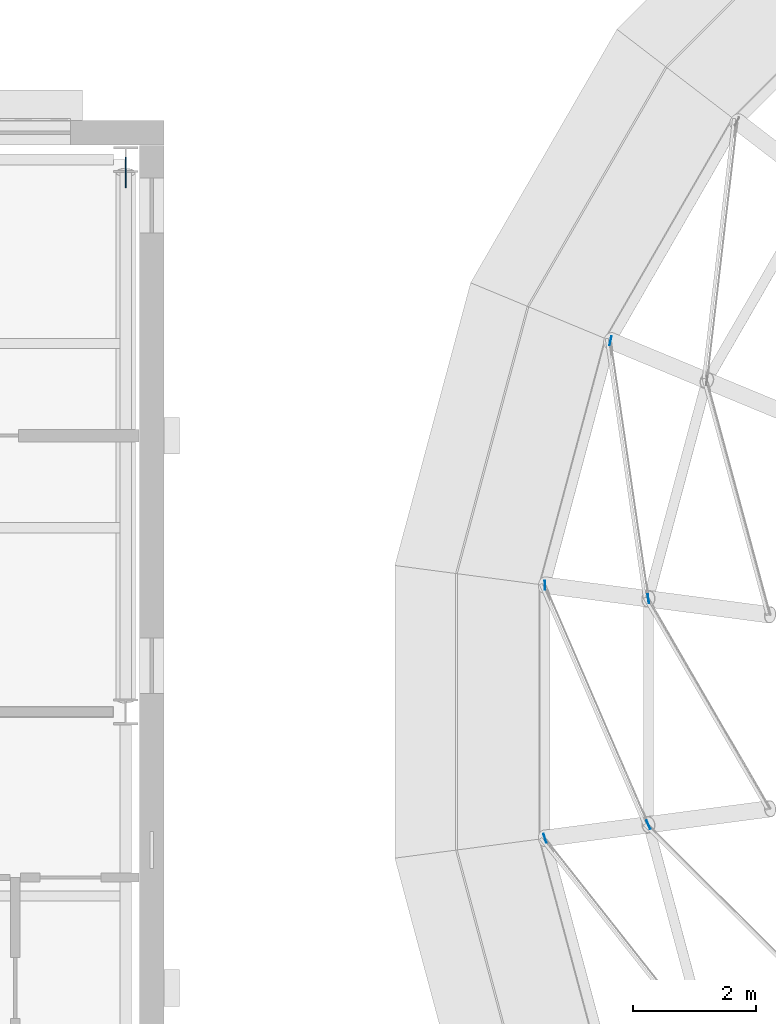
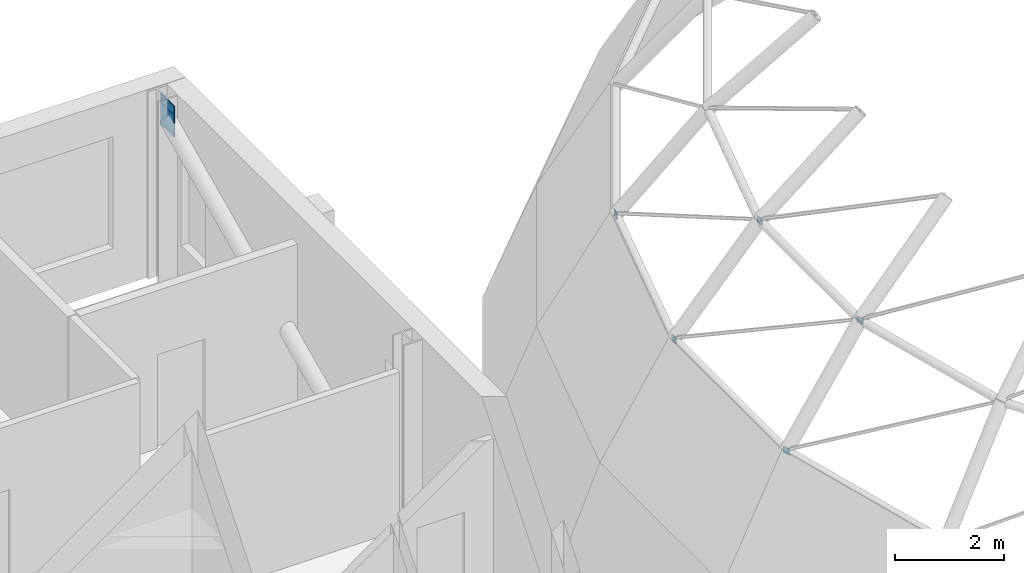
# One storey, part 44 of 62: 7 discrete accessories.
"""IFC4 building model written with IfcOpenShell, lengths in metres."""

from ifc_helpers import new_model, si_unit, direction, frame, origin, origin_2d, place, context, subcontext, project, spatial, rectangle, extrude, material, type_object, element, save


model = new_model("IFC4")

# Units and contexts
model_context = context("Model", 3, precision=1e-05, world=origin(), true_north=direction((0.0, 1.0)))
body_context = subcontext(model_context, "Body", "Model", "MODEL_VIEW")
ifc_project = project(units=[si_unit("LENGTHUNIT", "METRE"), si_unit("AREAUNIT", "SQUARE_METRE"), si_unit("VOLUMEUNIT", "CUBIC_METRE"), si_unit("PLANEANGLEUNIT", "RADIAN"), si_unit("MASSUNIT", "GRAM", prefix="KILO")], contexts=[model_context])

# Site, building, storey
site_placement = place(None, origin())
site = spatial("IfcSite", under=ifc_project, at=site_placement, CompositionType="ELEMENT")
building_placement = place(site_placement, origin())
building = spatial("IfcBuilding", under=site, at=building_placement, Name="Hortulan Conservatory and Botanical Research Centre", CompositionType="ELEMENT")
storey_placement = place(building_placement, frame((0.0, 0.0, 15.0)))
storey = spatial("IfcBuildingStorey", under=building, at=storey_placement, Name="L03", CompositionType="ELEMENT", Elevation=15.0)

# Discrete accessories
ifc_material = material(Name="Steel Grade 300 plate (AS/NZS 3678, 280 MPa minimum yield)", Category="steel")
discrete_accessory_type_1 = type_object("IfcDiscreteAccessoryType", Name="End Plate 150x10", PredefinedType="BRACKET", material=ifc_material)
for number, where, z_axis, x_axis, name in (
    (1, (38.332763671875, 15.9375, 0.4404296875), (0.0, 0.0, 1.0), (0.299157372473, -0.95420378667, 0.0), "Dome rod end plate"),
    (2, (38.332763671875, 20.0625, 0.4404296875), (0.0, 0.0, 1.0), (0.041980281398, -0.999118439412, 0.0), "Dome rod end plate"),
    (3, (39.400390625, 24.04736328125, 0.4404296875), (0.0, 0.0, 1.0), (0.218041042436, 0.975939600494, 0.0), "Dome rod end plate"),
    (4, (40.01806640625, 16.1591796875, 2.636962890625), (0.0, 0.0, 1.0), (0.396394918621, -0.918080099169, 0.0), "Dome rod end plate"),
    (5, (40.01806640625, 19.8408203125, 2.636962890625), (0.0, 0.0, 1.0), (0.145254206544, -0.989394368026, 0.0), "Dome rod end plate"),
):
    element("IfcDiscreteAccessory", number, at=place(storey_placement, frame(where, z_axis=z_axis, x_axis=x_axis)), inside=storey, type_object=discrete_accessory_type_1, Name=name, PredefinedType="BRACKET", context=body_context, shape_type="SweptSolid", body=[
        extrude(rectangle(XDim=0.14990234375, YDim=0.010009765625, at=origin_2d()), origin(), (0.0, 0.0, 1.0), 0.14990234375),
    ])
discrete_accessory_type_2 = type_object("IfcDiscreteAccessoryType", Name="End Plate 500x20", PredefinedType="BRACKET", material=ifc_material)
for number, where, z_axis, x_axis, name in (
    (6, (31.5, 26.7890625, 3.491455078125), (0.0, 0.0, 1.0), (0.0, -1.0, 0.0), "Brace end plate"),
    (7, (31.5, 26.7890625, 3.6884765625), (0.0, 0.0, 1.0), (0.0, -1.0, 0.0), "Brace end plate"),
):
    element("IfcDiscreteAccessory", number, at=place(storey_placement, frame(where, z_axis=z_axis, x_axis=x_axis)), inside=storey, type_object=discrete_accessory_type_2, Name=name, PredefinedType="BRACKET", context=body_context, shape_type="SweptSolid", body=[
        extrude(rectangle(XDim=0.5, YDim=0.02001953125, at=origin_2d()), origin(), (0.0, 0.0, 1.0), 0.5),
    ])

save(model, "model.ifc")
